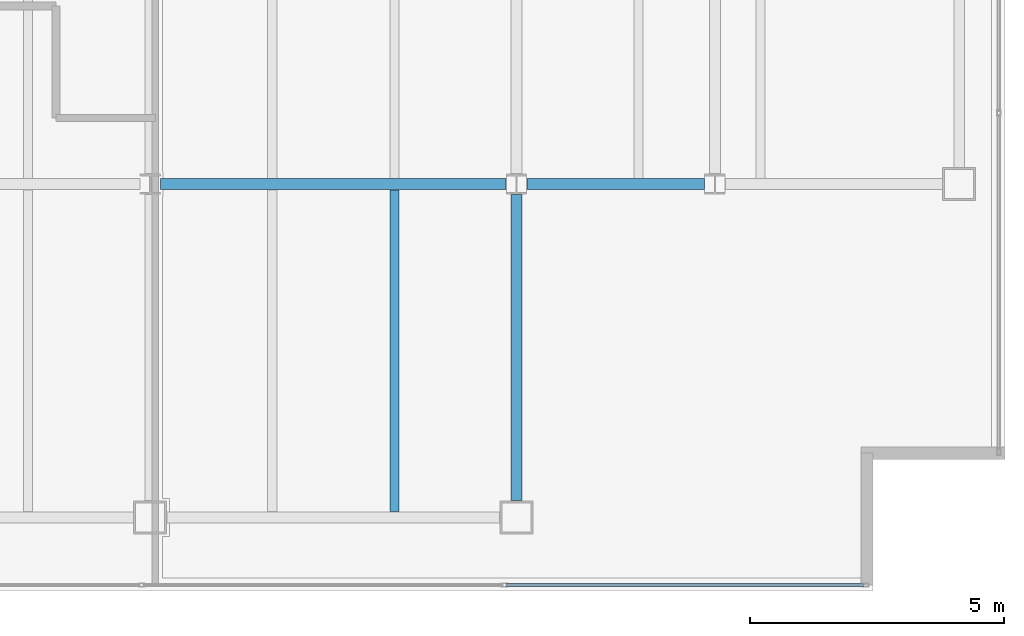
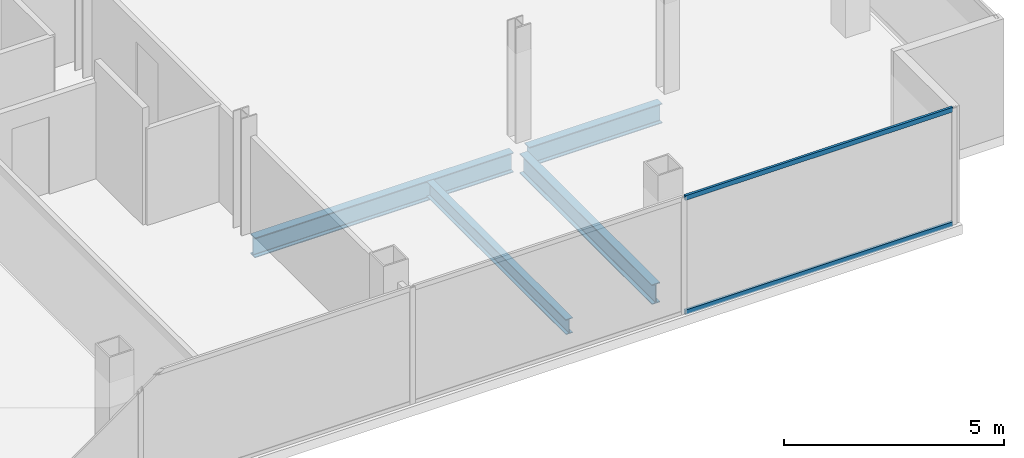
# One storey, part 13 of 23: 4 beams, 2 members, 1 element without a shape of its own.
"""IFC4 building model written with IfcOpenShell, lengths in metres."""

from ifc_helpers import new_model, si_unit, direction, frame, origin, origin_2d, place, context, subcontext, project, spatial, hollow_rectangle, i_section, extrude, material, material_profile, profile_set, type_object, element, aggregate, save


model = new_model("IFC4")

# Units and contexts
model_context = context("Model", 3, precision=1e-05, world=origin(), true_north=direction((0.0, 1.0)))
body_context = subcontext(model_context, "Body", "Model", "MODEL_VIEW")
ifc_project = project(units=[si_unit("LENGTHUNIT", "METRE"), si_unit("AREAUNIT", "SQUARE_METRE"), si_unit("VOLUMEUNIT", "CUBIC_METRE"), si_unit("PLANEANGLEUNIT", "RADIAN"), si_unit("MASSUNIT", "GRAM", prefix="KILO")], contexts=[model_context])

# Site, building, storey
site_placement = place(None, origin())
site = spatial("IfcSite", under=ifc_project, at=site_placement, CompositionType="ELEMENT")
building_placement = place(site_placement, origin())
building = spatial("IfcBuilding", under=site, at=building_placement, Name="Cobrela Telecom Tower", CompositionType="ELEMENT")
storey_placement = place(building_placement, frame((0.0, 0.0, 262.14990234375)))
storey = spatial("IfcBuildingStorey", under=building, at=storey_placement, Name="L68", CompositionType="ELEMENT", Elevation=262.14990234375)

# Beams
ifc_material_1 = material(Name="Steel ASTM A992 Grade 50", Category="steel")
ifc_material_profile_1 = material_profile(ifc_material_1, i_section(OverallWidth=0.212890625, OverallDepth=0.549072265625, WebThickness=0.0146484375, FlangeThickness=0.023681640625, FilletRadius=0.013916015625, at=origin_2d()), Name="W21X93")
ifc_profile_set_1 = profile_set([ifc_material_profile_1], Name="Steel ASTM A992 Grade 50")
beam_type_1 = type_object("IfcBeamType", Name="BM-GIRD-08", PredefinedType="USERDEFINED", material=ifc_profile_set_1)
beam_1_placement = place(storey_placement, frame((29.00439453125, 14.39990234375, -0.534423828125), z_axis=(1.0, 0.0, 0.0), x_axis=(0.0, 1.0, 0.0)))
element("IfcBeam", 1, at=beam_1_placement, inside=storey, type_object=beam_type_1, Name="L68 Primary Girder X07", ObjectType="GIRDER", PredefinedType="USERDEFINED", context=body_context, shape_type="SweptSolid", body=[
    extrude(i_section(OverallWidth=0.212890625, OverallDepth=0.549072265625, WebThickness=0.0146484375, FlangeThickness=0.023681640625, FilletRadius=0.013916015625, at=origin_2d()), origin(), (0.0, 0.0, 1.0), 6.791015625),
])
beam_2_placement = place(storey_placement, frame((36.20458984375, 14.39990234375, -0.534423828125), z_axis=(1.0, 0.0, 0.0), x_axis=(0.0, 1.0, 0.0)))
element("IfcBeam", 2, at=beam_2_placement, inside=storey, type_object=beam_type_1, Name="L68 Primary Girder X08", ObjectType="GIRDER", PredefinedType="USERDEFINED", context=body_context, shape_type="SweptSolid", body=[
    extrude(i_section(OverallWidth=0.212890625, OverallDepth=0.549072265625, WebThickness=0.0146484375, FlangeThickness=0.023681640625, FilletRadius=0.013916015625, at=origin_2d()), origin(), (0.0, 0.0, 1.0), 3.490966796875),
])
beam_3_placement = place(storey_placement, frame((36.0, 8.179931640625, -0.534423828125), z_axis=(0.0, 1.0, 0.0), x_axis=(-1.0, 0.0, 0.0)))
element("IfcBeam", 3, at=beam_3_placement, inside=storey, type_object=beam_type_1, Name="L68 Primary Girder Y31", ObjectType="GIRDER", PredefinedType="USERDEFINED", context=body_context, shape_type="SweptSolid", body=[
    extrude(i_section(OverallWidth=0.212890625, OverallDepth=0.549072265625, WebThickness=0.0146484375, FlangeThickness=0.023681640625, FilletRadius=0.013916015625, at=origin_2d()), origin(), (0.0, 0.0, 1.0), 6.015625),
])
ifc_material_profile_2 = material_profile(ifc_material_1, i_section(OverallWidth=0.179931640625, OverallDepth=0.4169921875, WebThickness=0.010986328125, FlangeThickness=0.01806640625, FilletRadius=0.011962890625, at=origin_2d()), Name="W16X57")
ifc_profile_set_2 = profile_set([ifc_material_profile_2], Name="Steel ASTM A992 Grade 50")
beam_type_2 = type_object("IfcBeamType", Name="BM-JOIST-04", PredefinedType="JOIST", material=ifc_profile_set_2)
beam_4_placement = place(storey_placement, frame((33.60009765625, 7.96142578125, -0.468505859375), z_axis=(0.0, 1.0, 0.0), x_axis=(-1.0, 0.0, 0.0)))
element("IfcBeam", 4, at=beam_4_placement, inside=storey, type_object=beam_type_2, Name="L68 Secondary Composite Floor Beam J13", PredefinedType="JOIST", context=body_context, shape_type="SweptSolid", body=[
    extrude(i_section(OverallWidth=0.179931640625, OverallDepth=0.4169921875, WebThickness=0.010986328125, FlangeThickness=0.01806640625, FilletRadius=0.011962890625, at=origin_2d()), origin(), (0.0, 0.0, 1.0), 6.3271484375),
])

# Curtain wall, members
ifc_material_2 = material(Name="Anodized Bronze Aluminium 6063-T6", Category="aluminium")
curtain_wall_type = type_object("IfcCurtainWallType", Name="CW-SYS-OFF-HI", PredefinedType="USERDEFINED", material=ifc_material_2)
curtain_wall_placement = place(storey_placement, origin())
curtain_wall = element("IfcCurtainWall", 5, at=curtain_wall_placement, inside=storey, type_object=curtain_wall_type, Name="L68 Unitised Bronze Curtain Wall 15", ObjectType="UNITISED CURTAIN WALL", PredefinedType="USERDEFINED")
ifc_material_profile_3 = material_profile(ifc_material_2, hollow_rectangle(XDim=0.06494140625, YDim=0.1298828125, WallThickness=0.00390625, at=origin_2d()), Name="ALU 65x130x4")
ifc_profile_set_3 = profile_set([ifc_material_profile_3], Name="Anodized Bronze Aluminium 6063-T6")
member_type = type_object("IfcMemberType", Name="CW-SYS-OFF-HI-TRN", PredefinedType="USERDEFINED", material=ifc_profile_set_3)
member_1_placement = place(storey_placement, frame((42.820068359375, 6.52001953125, 0.03271484375), z_axis=(-1.0, 0.0, 0.0), x_axis=(0.0, -1.0, 0.0)))
member_1 = element("IfcMember", 6, at=member_1_placement, type_object=member_type, Name="CW-OFF-HI transom 1.1", ObjectType="TRANSOM", PredefinedType="USERDEFINED", context=body_context, shape_type="SweptSolid", body=[
    extrude(hollow_rectangle(XDim=0.06494140625, YDim=0.1298828125, WallThickness=0.00390625, at=origin_2d()), origin(), (0.0, 0.0, 1.0), 7.0234375),
])
member_2_placement = place(storey_placement, frame((42.820068359375, 6.52001953125, 3.20751953125), z_axis=(-1.0, 0.0, 0.0), x_axis=(0.0, -1.0, 0.0)))
member_2 = element("IfcMember", 7, at=member_2_placement, type_object=member_type, Name="CW-OFF-HI transom 1.2", ObjectType="TRANSOM", PredefinedType="USERDEFINED", context=body_context, shape_type="SweptSolid", body=[
    extrude(hollow_rectangle(XDim=0.06494140625, YDim=0.1298828125, WallThickness=0.00390625, at=origin_2d()), origin(), (0.0, 0.0, 1.0), 7.0234375),
])
aggregate(curtain_wall, [member_1, member_2])

save(model, "model.ifc")
